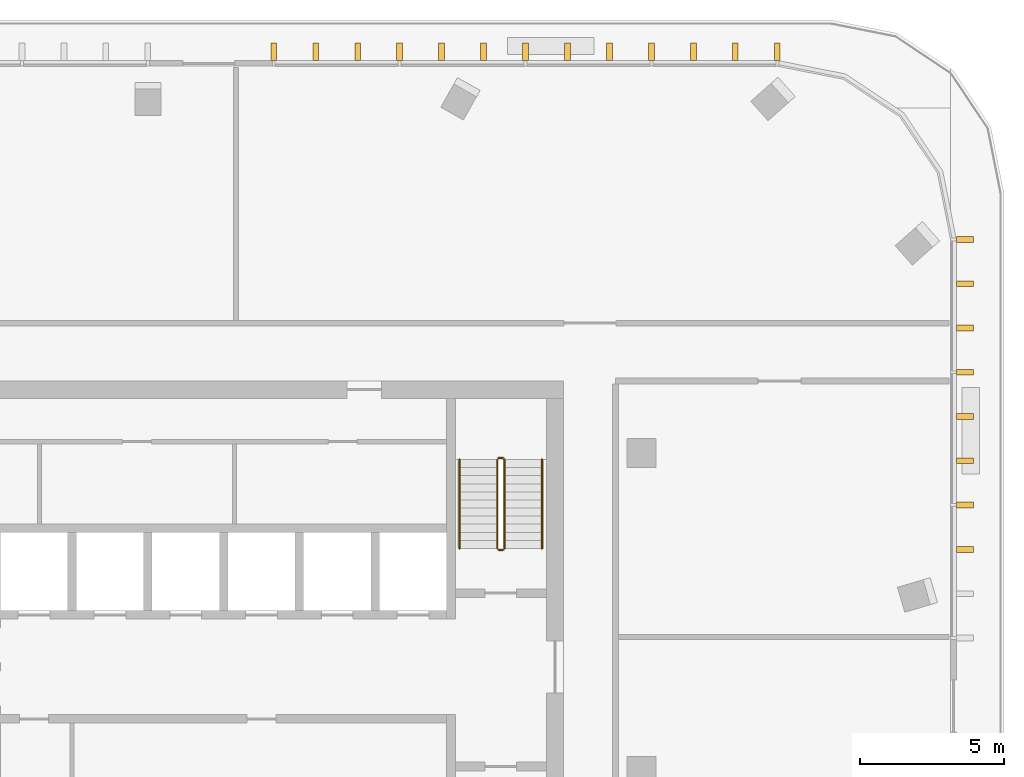
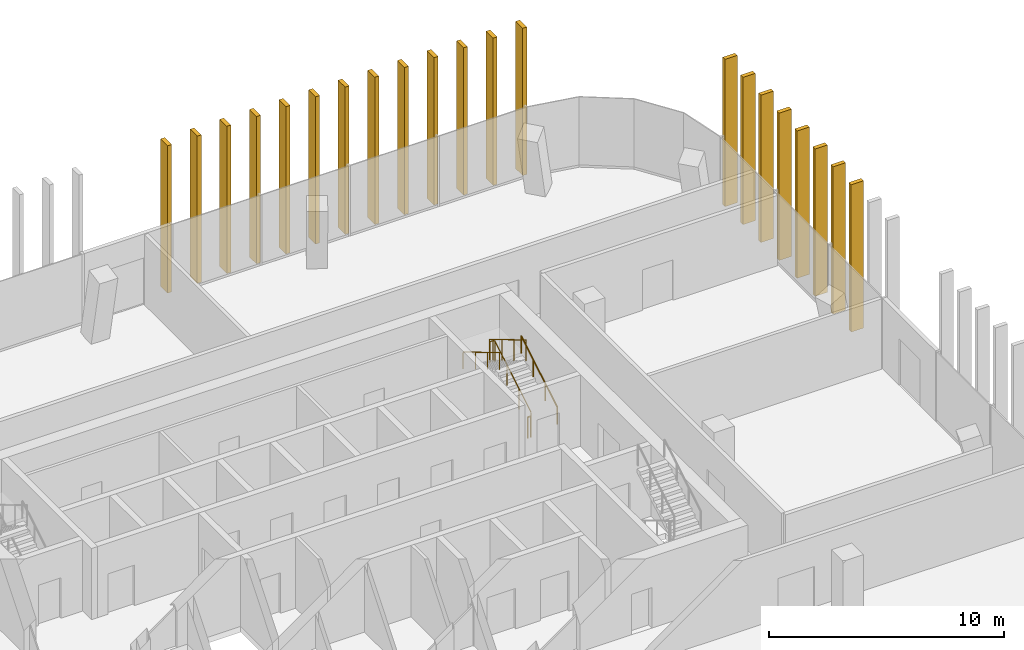
# One storey, part 16 of 16: 21 shading devices, 5 railings.
"""IFC4 building model written with IfcOpenShell, lengths in metres."""

from ifc_helpers import new_model, si_unit, direction, frame, origin, origin_2d, place, context, subcontext, project, spatial, rectangle, circle, extrude, material, type_object, element, save


model = new_model("IFC4")

# Units and contexts
model_context = context("Model", 3, precision=1e-05, world=origin(), true_north=direction((0.0, 1.0)))
body_context = subcontext(model_context, "Body", "Model", "MODEL_VIEW")
ifc_project = project(units=[si_unit("LENGTHUNIT", "METRE"), si_unit("AREAUNIT", "SQUARE_METRE"), si_unit("VOLUMEUNIT", "CUBIC_METRE"), si_unit("PLANEANGLEUNIT", "RADIAN"), si_unit("MASSUNIT", "GRAM", prefix="KILO")], contexts=[model_context])

# Site, building, storey
site_placement = place(None, origin())
site = spatial("IfcSite", under=ifc_project, at=site_placement, CompositionType="ELEMENT")
building_placement = place(site_placement, origin())
building = spatial("IfcBuilding", under=site, at=building_placement, Name="Mopane Tessera Tower", CompositionType="ELEMENT")
storey_placement = place(building_placement, frame((0.0, 0.0, 321.39990234375)))
storey = spatial("IfcBuildingStorey", under=building, at=storey_placement, Name="L70", CompositionType="ELEMENT", Elevation=321.39990234375)

# Shading devices
ifc_material_1 = material(Name="Glazed ceramic tile")
shading_device_type = type_object("IfcShadingDeviceType", Name="Ceramic tile fin 600 x 200 mm", PredefinedType="USERDEFINED", material=ifc_material_1)
for number, where, z_axis, x_axis, name in (
    (1, (28.300048828125, 7.666748046875, 0.000244140625), (0.0, 0.0, 1.0), (0.0, 1.0, 0.0), "e:fin:L70:E:5:2"),
    (2, (28.300048828125, 9.199951171875, 0.000244140625), (0.0, 0.0, 1.0), (0.0, 1.0, 0.0), "e:fin:L70:E:6:0"),
    (3, (28.300048828125, 10.7333984375, 0.000244140625), (0.0, 0.0, 1.0), (0.0, 1.0, 0.0), "e:fin:L70:E:6:1"),
    (4, (28.300048828125, 12.2666015625, 0.000244140625), (0.0, 0.0, 1.0), (0.0, 1.0, 0.0), "e:fin:L70:E:6:2"),
    (5, (28.300048828125, 13.800048828125, 0.000244140625), (0.0, 0.0, 1.0), (0.0, 1.0, 0.0), "e:fin:L70:E:7:0"),
    (6, (28.300048828125, 15.333251953125, 0.000244140625), (0.0, 0.0, 1.0), (0.0, 1.0, 0.0), "e:fin:L70:E:7:1"),
    (7, (28.300048828125, 16.86669921875, 0.000244140625), (0.0, 0.0, 1.0), (0.0, 1.0, 0.0), "e:fin:L70:E:7:2"),
    (8, (28.300048828125, 18.39990234375, 0.000244140625), (0.0, 0.0, 1.0), (0.0, 1.0, 0.0), "e:fin:L70:E:7:3"),
    (9, (21.800048828125, 24.89990234375, 0.000244140625), (0.0, 0.0, 1.0), (-1.0, 0.0, 0.0), "e:fin:L70:N:0:0"),
    (10, (20.3466796875, 24.89990234375, 0.000244140625), (0.0, 0.0, 1.0), (-1.0, 0.0, 0.0), "e:fin:L70:N:0:1"),
    (11, (18.893310546875, 24.89990234375, 0.000244140625), (0.0, 0.0, 1.0), (-1.0, 0.0, 0.0), "e:fin:L70:N:0:2"),
    (12, (17.43994140625, 24.89990234375, 0.000244140625), (0.0, 0.0, 1.0), (-1.0, 0.0, 0.0), "e:fin:L70:N:1:0"),
    (13, (15.986572265625, 24.89990234375, 0.000244140625), (0.0, 0.0, 1.0), (-1.0, 0.0, 0.0), "e:fin:L70:N:1:1"),
    (14, (14.533447265625, 24.89990234375, 0.000244140625), (0.0, 0.0, 1.0), (-1.0, 0.0, 0.0), "e:fin:L70:N:1:2"),
    (15, (13.080078125, 24.89990234375, 0.000244140625), (0.0, 0.0, 1.0), (-1.0, 0.0, 0.0), "e:fin:L70:N:2:0"),
    (16, (11.626708984375, 24.89990234375, 0.000244140625), (0.0, 0.0, 1.0), (-1.0, 0.0, 0.0), "e:fin:L70:N:2:1"),
    (17, (10.17333984375, 24.89990234375, 0.000244140625), (0.0, 0.0, 1.0), (-1.0, 0.0, 0.0), "e:fin:L70:N:2:2"),
    (18, (8.719970703125, 24.89990234375, 0.000244140625), (0.0, 0.0, 1.0), (-1.0, 0.0, 0.0), "e:fin:L70:N:3:0"),
    (19, (7.2666015625, 24.89990234375, 0.000244140625), (0.0, 0.0, 1.0), (-1.0, 0.0, 0.0), "e:fin:L70:N:3:1"),
    (20, (5.813232421875, 24.89990234375, 0.000244140625), (0.0, 0.0, 1.0), (-1.0, 0.0, 0.0), "e:fin:L70:N:3:2"),
    (21, (4.360107421875, 24.89990234375, 0.000244140625), (0.0, 0.0, 1.0), (-1.0, 0.0, 0.0), "e:fin:L70:N:3:3"),
):
    element("IfcShadingDevice", number, at=place(storey_placement, frame(where, z_axis=z_axis, x_axis=x_axis)), inside=storey, type_object=shading_device_type, Name=name, ObjectType="FIN", PredefinedType="USERDEFINED", context=body_context, shape_type="SweptSolid", body=[
        extrude(rectangle(XDim=0.199951171875, YDim=0.60009765625, at=origin_2d()), origin(), (0.0, 0.0, 1.0), 7.64990234375),
    ])

# Railings
ifc_material_2 = material(Name="Powder-coated steel balustrade", Category="steel")
railing_type_1 = type_object("IfcRailingType", Name="Escape stair guard 1100 mm", PredefinedType="GUARDRAIL", material=ifc_material_2)
railing_1_placement = place(storey_placement, frame((12.35009765625, 7.699951171875, 0.166748046875)))
element("IfcRailing", 22, at=railing_1_placement, inside=storey, type_object=railing_type_1, Name="L70 ST4 stair guard 1", PredefinedType="GUARDRAIL", context=body_context, shape_type="SweptSolid", body=[
    extrude(circle(Radius=0.02392578125, at=origin_2d()), frame((0.0, 0.0, 1.076171875), z_axis=(0.0, 0.859308565015, 0.511457515432), x_axis=(-1.0, 0.0, 0.0)), (0.0, 0.0, 1.0), 3.58447265625),
    extrude(circle(Radius=0.02392578125, at=origin_2d()), frame((0.0, 3.080078125, 2.9091796875), z_axis=(-0.707106781187, 0.707106781187, 0.0), x_axis=(-0.707106781187, -0.707106781187, 0.0)), (0.0, 0.0, 1.0), 0.07080078125),
    extrude(circle(Radius=0.02392578125, at=origin_2d()), frame((-0.050048828125, 3.130126953125, 2.9091796875), z_axis=(-1.0, 0.0, 0.0), x_axis=(0.0, -1.0, 0.0)), (0.0, 0.0, 1.0), 0.150146484375),
    extrude(circle(Radius=0.02099609375, at=origin_2d()), origin(), (0.0, 0.0, 1.0), 1.052001953125),
    extrude(circle(Radius=0.02099609375, at=origin_2d()), frame((0.0, 1.026611328125, 0.611083984375)), (0.0, 0.0, 1.0), 1.052001953125),
    extrude(circle(Radius=0.02099609375, at=origin_2d()), frame((0.0, 2.053466796875, 1.22216796875)), (0.0, 0.0, 1.0), 1.052001953125),
    extrude(circle(Radius=0.02099609375, at=origin_2d()), frame((0.0, 3.080078125, 1.833251953125)), (0.0, 0.0, 1.0), 1.052001953125),
    extrude(circle(Radius=0.02099609375, at=origin_2d()), frame((-0.050048828125, 3.130126953125, 1.833251953125)), (0.0, 0.0, 1.0), 1.052001953125),
    extrude(circle(Radius=0.02099609375, at=origin_2d()), frame((-0.2001953125, 3.130126953125, 1.833251953125)), (0.0, 0.0, 1.0), 1.052001953125),
])
railing_2_placement = place(storey_placement, frame((12.10009765625, 10.780029296875, 2.166748046875)))
element("IfcRailing", 23, at=railing_2_placement, inside=storey, type_object=railing_type_1, Name="L70 ST4 stair guard 2", PredefinedType="GUARDRAIL", context=body_context, shape_type="SweptSolid", body=[
    extrude(circle(Radius=0.02392578125, at=origin_2d()), frame((0.0, 0.0, 1.076171875), z_axis=(0.0, -0.859308565015, 0.511457515432), x_axis=(1.0, 0.0, 0.0)), (0.0, 0.0, 1.0), 3.58447265625),
    extrude(circle(Radius=0.02099609375, at=origin_2d()), origin(), (0.0, 0.0, 1.0), 1.052001953125),
    extrude(circle(Radius=0.02099609375, at=origin_2d()), frame((0.0, -1.026611328125, 0.611083984375)), (0.0, 0.0, 1.0), 1.052001953125),
    extrude(circle(Radius=0.02099609375, at=origin_2d()), frame((0.0, -2.053466796875, 1.22216796875)), (0.0, 0.0, 1.0), 1.052001953125),
    extrude(circle(Radius=0.02099609375, at=origin_2d()), frame((0.0, -3.080078125, 1.833251953125)), (0.0, 0.0, 1.0), 1.052001953125),
])
railing_3_placement = place(storey_placement, frame((12.300048828125, 7.64990234375, 0.0)))
element("IfcRailing", 24, at=railing_3_placement, inside=storey, type_object=railing_type_1, Name="L70 ST4 stair guard 3", PredefinedType="GUARDRAIL", context=body_context, shape_type="SweptSolid", body=[
    extrude(circle(Radius=0.02392578125, at=origin_2d()), frame((0.0, 0.0, 1.076171875), z_axis=(-1.0, 0.0, 0.0), x_axis=(0.0, -1.0, 0.0)), (0.0, 0.0, 1.0), 0.150146484375),
    extrude(circle(Radius=0.02099609375, at=origin_2d()), origin(), (0.0, 0.0, 1.0), 1.052001953125),
    extrude(circle(Radius=0.02099609375, at=origin_2d()), frame((-0.150146484375, 0.0, 0.0)), (0.0, 0.0, 1.0), 1.052001953125),
])
ifc_material_3 = material(Name="Powder-coated steel balustrade", Category="steel")
railing_type_2 = type_object("IfcRailingType", Name="Escape stair handrail 900 mm", PredefinedType="HANDRAIL", material=ifc_material_3)
railing_4_placement = place(storey_placement, frame((13.64990234375, 7.699951171875, 0.166748046875)))
element("IfcRailing", 25, at=railing_4_placement, inside=storey, type_object=railing_type_2, Name="L70 ST4 stair handrail 1", PredefinedType="HANDRAIL", context=body_context, shape_type="SweptSolid", body=[
    extrude(circle(Radius=0.02392578125, at=origin_2d()), frame((0.0, 0.0, 0.8759765625), z_axis=(0.0, 0.859308565015, 0.511457515432), x_axis=(-1.0, 0.0, 0.0)), (0.0, 0.0, 1.0), 3.58447265625),
    extrude(circle(Radius=0.02099609375, at=origin_2d()), origin(), (0.0, 0.0, 1.0), 0.851806640625),
    extrude(circle(Radius=0.02099609375, at=origin_2d()), frame((0.0, 1.026611328125, 0.611083984375)), (0.0, 0.0, 1.0), 0.851806640625),
    extrude(circle(Radius=0.02099609375, at=origin_2d()), frame((0.0, 2.053466796875, 1.22216796875)), (0.0, 0.0, 1.0), 0.851806640625),
    extrude(circle(Radius=0.02099609375, at=origin_2d()), frame((0.0, 3.080078125, 1.833251953125)), (0.0, 0.0, 1.0), 0.851806640625),
])
railing_5_placement = place(storey_placement, frame((10.800048828125, 10.780029296875, 2.166748046875)))
element("IfcRailing", 26, at=railing_5_placement, inside=storey, type_object=railing_type_2, Name="L70 ST4 stair handrail 2", PredefinedType="HANDRAIL", context=body_context, shape_type="SweptSolid", body=[
    extrude(circle(Radius=0.02392578125, at=origin_2d()), frame((0.0, 0.0, 0.8759765625), z_axis=(0.0, -0.859308565015, 0.511457515432), x_axis=(1.0, 0.0, 0.0)), (0.0, 0.0, 1.0), 3.58447265625),
    extrude(circle(Radius=0.02099609375, at=origin_2d()), origin(), (0.0, 0.0, 1.0), 0.851806640625),
    extrude(circle(Radius=0.02099609375, at=origin_2d()), frame((0.0, -1.026611328125, 0.611083984375)), (0.0, 0.0, 1.0), 0.851806640625),
    extrude(circle(Radius=0.02099609375, at=origin_2d()), frame((0.0, -2.053466796875, 1.22216796875)), (0.0, 0.0, 1.0), 0.851806640625),
    extrude(circle(Radius=0.02099609375, at=origin_2d()), frame((0.0, -3.080078125, 1.833251953125)), (0.0, 0.0, 1.0), 0.851806640625),
])

save(model, "model.ifc")
